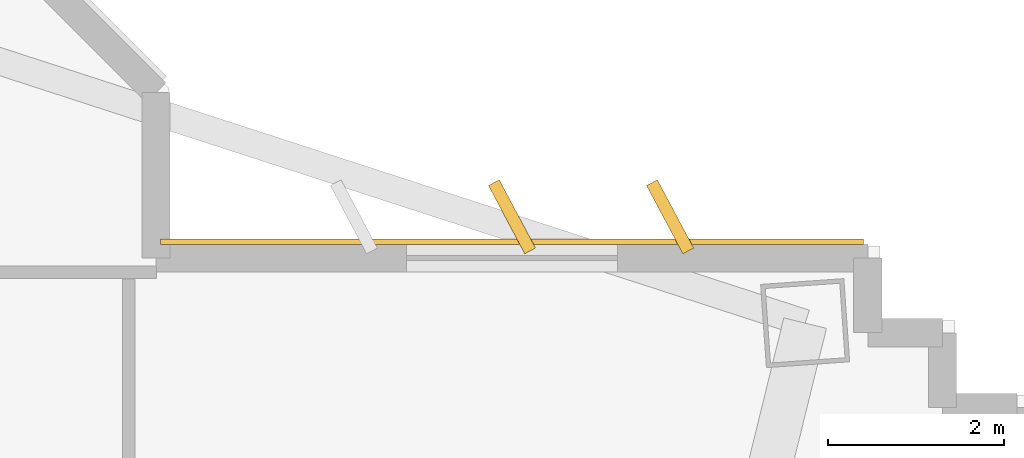
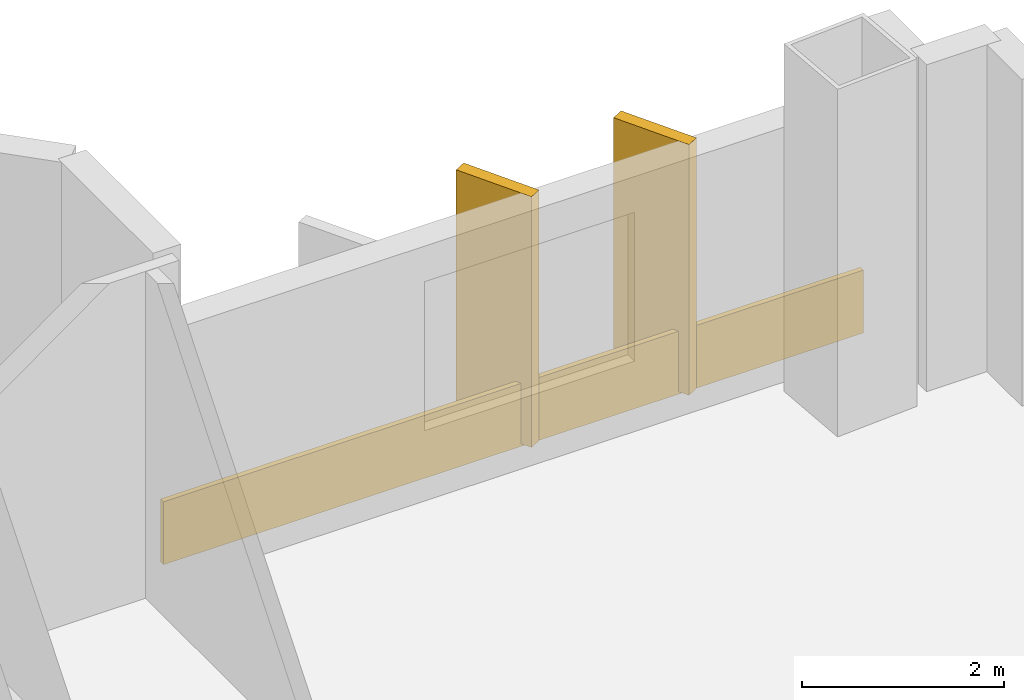
# One storey, part 14 of 14: 2 shading devices, 1 covering.
"""IFC4 building model written with IfcOpenShell, lengths in metres."""

from ifc_helpers import new_model, si_unit, direction, frame, origin, origin_2d, place, context, subcontext, project, spatial, rectangle, extrude, source, transform, mapped, material, layer, layer_set, type_object, element, save


model = new_model("IFC4")

# Units and contexts
model_context = context("Model", 3, precision=1e-05, world=origin(), true_north=direction((0.0, 1.0)))
body_context = subcontext(model_context, "Body", "Model", "MODEL_VIEW")
ifc_project = project(units=[si_unit("LENGTHUNIT", "METRE"), si_unit("AREAUNIT", "SQUARE_METRE"), si_unit("VOLUMEUNIT", "CUBIC_METRE"), si_unit("PLANEANGLEUNIT", "RADIAN"), si_unit("MASSUNIT", "GRAM", prefix="KILO")], contexts=[model_context])

# Site, building, storey
site_placement = place(None, origin())
site = spatial("IfcSite", under=ifc_project, at=site_placement, CompositionType="ELEMENT")
building_placement = place(site_placement, origin())
building = spatial("IfcBuilding", under=site, at=building_placement, Name="Zahravan Cultural Tower", CompositionType="ELEMENT")
storey_placement = place(building_placement, frame((0.0, 0.0, 37.5)))
storey = spatial("IfcBuildingStorey", under=building, at=storey_placement, Name="L07", CompositionType="ELEMENT", Elevation=37.5)

# Covering
ifc_material_1 = material(Name="Terracotta ceramic cladding", Category="masonry")
ifc_layer = layer(ifc_material_1, 0.06005859375)
ifc_layer_set = layer_set([ifc_layer], Name="Terracotta ceramic cladding")
covering_type = type_object("IfcCoveringType", Name="COV-CLAD-TC60", PredefinedType="CLADDING", material=ifc_layer_set)
shared_shape_1 = source(origin(), body_context, "Body", "SweptSolid", [
    extrude(rectangle(XDim=8.0, YDim=0.06005859375, at=origin_2d()), origin(), (0.0, 0.0, 1.0), 0.760009765625),
])
covering_placement = place(storey_placement, frame((57.110107421875, 33.844970703125, 0.02001953125), z_axis=(0.0, 0.0, 1.0), x_axis=(1.0, 0.0, 0.0)))
element("IfcCovering", 1, at=covering_placement, inside=storey, type_object=covering_type, Name="L07 Terracotta Spandrel Cladding 01", PredefinedType="CLADDING", context=body_context, shape_type="MappedRepresentation", body=[
    mapped(shared_shape_1, transform((0.0, 0.0, 0.0), x_axis=(1.0, 0.0, 0.0), y_axis=(0.0, 1.0, 0.0), z_axis=(0.0, 0.0, 1.0), scale=1.0)),
])

# Shading devices
ifc_material_2 = material(Name="Architectural terracotta fin", Category="masonry")
shading_device_type = type_object("IfcShadingDeviceType", Name="SHD-FIN-880", PredefinedType="USERDEFINED", material=ifc_material_2)
shared_shape_2 = source(origin(), body_context, "Body", "SweptSolid", [
    extrude(rectangle(XDim=0.8798828125, YDim=0.139892578125, at=origin_2d()), origin(), (0.0, 0.0, 1.0), 3.030029296875),
])
for number, where, z_axis, x_axis, name in (
    (2, (57.110107421875, 34.1298828125, 0.0498046875), (0.0, 0.0, 1.0), (-0.469471562786, 0.882947592859, 0.0), "L07 Herringbone Terracotta Fin 02"),
    (3, (58.909912109375, 34.1298828125, 0.0498046875), (0.0, 0.0, 1.0), (-0.469471562786, 0.882947592859, 0.0), "L07 Herringbone Terracotta Fin 03"),
):
    element("IfcShadingDevice", number, at=place(storey_placement, frame(where, z_axis=z_axis, x_axis=x_axis)), inside=storey, type_object=shading_device_type, Name=name, ObjectType="FIN", PredefinedType="USERDEFINED", context=body_context, shape_type="MappedRepresentation", body=[
        mapped(shared_shape_2, transform((0.0, 0.0, 0.0), x_axis=(1.0, 0.0, 0.0), y_axis=(0.0, 1.0, 0.0), z_axis=(0.0, 0.0, 1.0), scale=1.0)),
    ])

save(model, "model.ifc")
